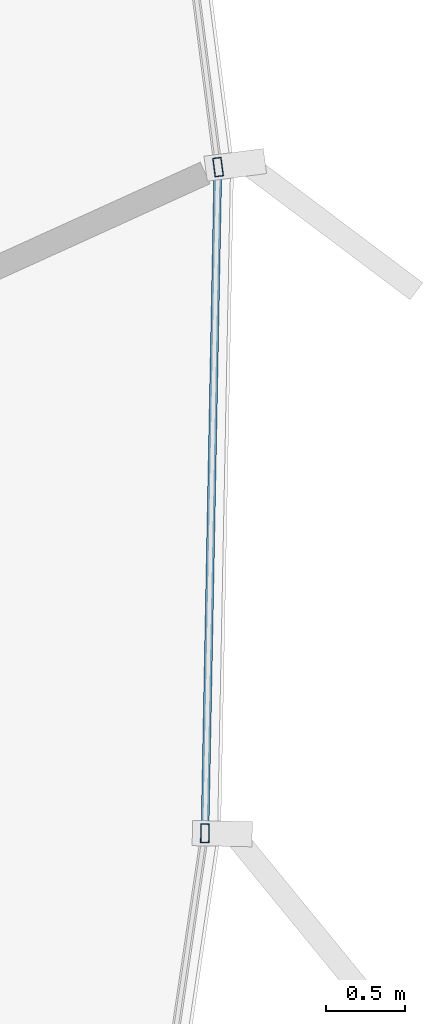
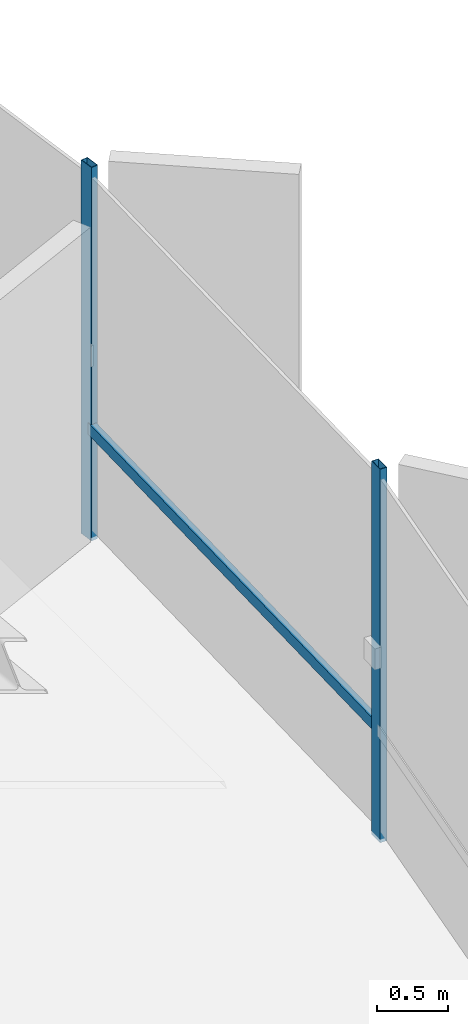
# One storey, part 17 of 34: 3 members, 1 element without a shape of its own.
"""IFC4 building model written with IfcOpenShell, lengths in metres."""

from ifc_helpers import new_model, si_unit, direction, frame, origin, origin_2d, place, context, subcontext, project, spatial, hollow_rectangle, extrude, source, transform, mapped, material, layer, layer_set, material_profile, profile_set, type_object, element, aggregate, save


model = new_model("IFC4")

# Units and contexts
model_context = context("Model", 3, precision=1e-05, world=origin(), true_north=direction((0.0, 1.0)))
body_context = subcontext(model_context, "Body", "Model", "MODEL_VIEW")
ifc_project = project(units=[si_unit("LENGTHUNIT", "METRE"), si_unit("AREAUNIT", "SQUARE_METRE"), si_unit("VOLUMEUNIT", "CUBIC_METRE"), si_unit("PLANEANGLEUNIT", "RADIAN"), si_unit("MASSUNIT", "GRAM", prefix="KILO"), si_unit("THERMODYNAMICTEMPERATUREUNIT", "KELVIN")], contexts=[model_context])

# Site, building, storey
site_placement = place(None, origin())
site = spatial("IfcSite", under=ifc_project, at=site_placement, CompositionType="ELEMENT")
building_placement = place(site_placement, origin())
building = spatial("IfcBuilding", under=site, at=building_placement, Name="Kethvar Cultural Tower", CompositionType="ELEMENT")
storey_placement = place(building_placement, frame((0.0, 0.0, 259.449951171875)))
storey = spatial("IfcBuildingStorey", under=building, at=storey_placement, Name="L68", CompositionType="ELEMENT", Elevation=259.449951171875)

# Curtain wall, members
ifc_material = material(Name="Aluminium 6063-T6", Category="aluminium")
ifc_layer = layer(ifc_material, 0.179931640625, Name="Aluminium 6063-T6", Category="aluminium")
ifc_layer_set = layer_set([ifc_layer], Name="Aluminium 6063-T6 (180 mm)")
curtain_wall_type = type_object("IfcCurtainWallType", Name="CW-SYS-05-Z56", PredefinedType="NOTDEFINED", material=ifc_layer_set)
curtain_wall_placement = place(storey_placement, origin())
curtain_wall = element("IfcCurtainWall", 1, at=curtain_wall_placement, inside=storey, type_object=curtain_wall_type, Name="L68 Curtain Wall Run 06", PredefinedType="NOTDEFINED")
ifc_material_profile_1 = material_profile(ifc_material, hollow_rectangle(XDim=0.054931640625, YDim=0.1201171875, WallThickness=0.00390625, at=origin_2d()), Name="Aluminium 6063-T6 — RHS120x55x4")
ifc_profile_set_1 = profile_set([ifc_material_profile_1], Name="Aluminium 6063-T6 — RHS120x55x4")
member_type_1 = type_object("IfcMemberType", Name="CW-SYS-05-Z56-MUL", PredefinedType="MULLION", material=ifc_profile_set_1)
shared_shape_1 = source(origin(), body_context, "Body", "SweptSolid", [
    extrude(hollow_rectangle(XDim=0.054931640625, YDim=0.1201171875, WallThickness=0.00390625, at=origin_2d()), origin(), (0.0, 0.0, 1.0), 3.2099609375),
])
member_1_placement = place(storey_placement, frame((67.623779296875, 32.991455078125, 0.0), z_axis=(0.0, 0.0, 1.0), x_axis=(-0.99981065198, 0.01945919288, 0.0)))
member_1 = element("IfcMember", 2, at=member_1_placement, type_object=member_type_1, Name="CW-L68-R06 Mullion 2", PredefinedType="MULLION", context=body_context, shape_type="MappedRepresentation", body=[
    mapped(shared_shape_1, transform((0.0, 0.0, 0.0), scale=1.0)),
])
member_2_placement = place(storey_placement, frame((67.707275390625, 37.217041015625, 0.0), z_axis=(0.0, 0.0, 1.0), x_axis=(-0.991827775753, -0.127583945876, 0.0)))
member_2 = element("IfcMember", 3, at=member_2_placement, type_object=member_type_1, Name="CW-L68-R06 Mullion 3", PredefinedType="MULLION", context=body_context, shape_type="MappedRepresentation", body=[
    mapped(shared_shape_1, transform((0.0, 0.0, 0.0), scale=1.0)),
])
ifc_material_profile_2 = material_profile(ifc_material, hollow_rectangle(XDim=0.050048828125, YDim=0.10009765625, WallThickness=0.00390625, at=origin_2d()), Name="Aluminium 6063-T6 — RHS100x50x4")
ifc_profile_set_2 = profile_set([ifc_material_profile_2], Name="Aluminium 6063-T6 — RHS100x50x4")
member_type_2 = type_object("IfcMemberType", Name="CW-SYS-05-Z56-TRN", PredefinedType="USERDEFINED", material=ifc_profile_set_2)
shared_shape_2 = source(origin(), body_context, "Body", "SweptSolid", [
    extrude(hollow_rectangle(XDim=0.050048828125, YDim=0.10009765625, WallThickness=0.00390625, at=origin_2d()), origin(), (0.0, 0.0, 1.0), 4.161865234375),
])
member_3_placement = place(storey_placement, frame((67.624755859375, 33.031005859375, 0.949951171875), z_axis=(0.019416662726, 0.999811478834, 0.0), x_axis=(-0.999811478834, 0.019416662726, 0.0)))
member_3 = element("IfcMember", 4, at=member_3_placement, type_object=member_type_2, Name="CW-L68-R06 Transom 2", ObjectType="TRANSOM", PredefinedType="USERDEFINED", context=body_context, shape_type="MappedRepresentation", body=[
    mapped(shared_shape_2, transform((0.0, 0.0, 0.0), scale=1.0)),
])
aggregate(curtain_wall, [member_1, member_2, member_3])

save(model, "model.ifc")
